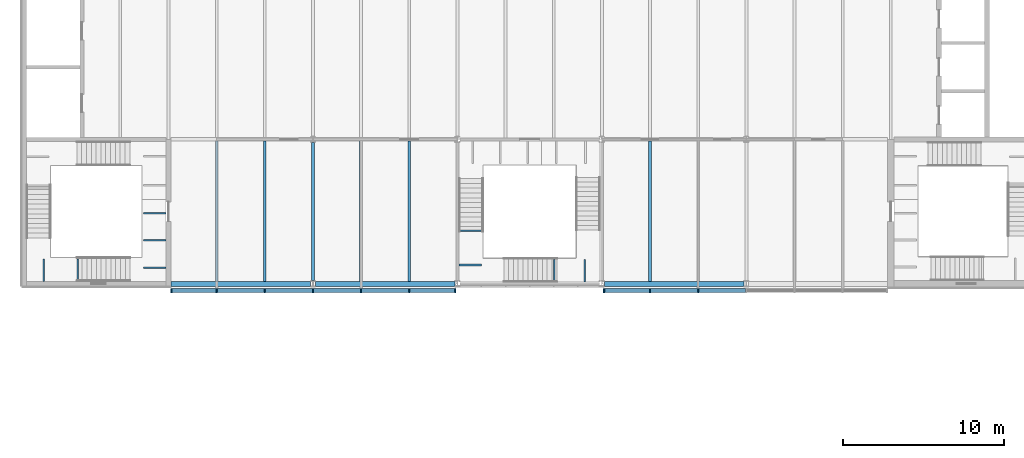
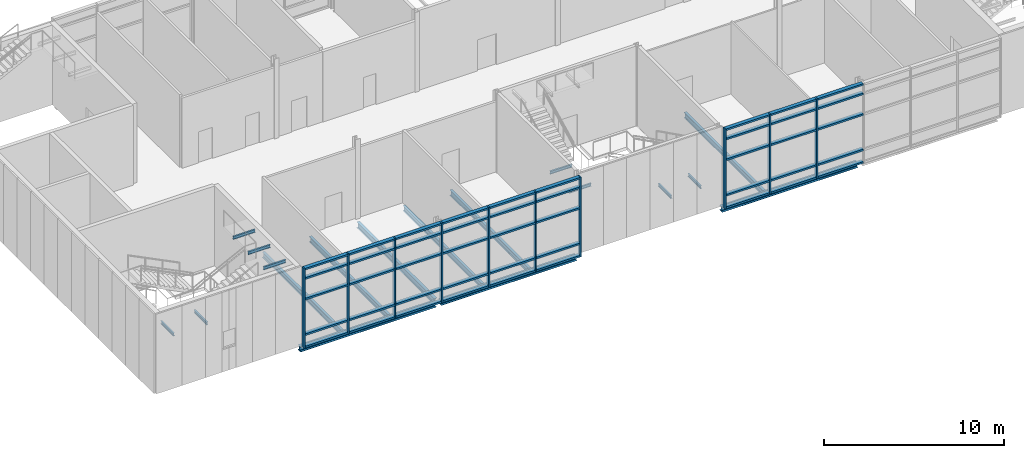
# One storey, part 13 of 53: 55 members, 18 beams, 2 elements without a shape of their own.
"""IFC4 building model written with IfcOpenShell, lengths in metres."""

from ifc_helpers import new_model, si_unit, direction, frame, origin, origin_2d, place, context, subcontext, project, spatial, rectangle, i_section, extrude, material, material_profile, profile_set, type_object, element, aggregate, save


model = new_model("IFC4")

# Units and contexts
model_context = context("Model", 3, precision=1e-05, world=origin(), true_north=direction((0.0, 1.0)))
body_context = subcontext(model_context, "Body", "Model", "MODEL_VIEW")
ifc_project = project(units=[si_unit("LENGTHUNIT", "METRE"), si_unit("AREAUNIT", "SQUARE_METRE"), si_unit("VOLUMEUNIT", "CUBIC_METRE"), si_unit("PLANEANGLEUNIT", "RADIAN"), si_unit("MASSUNIT", "GRAM", prefix="KILO")], contexts=[model_context])

# Site, building, storey
site_placement = place(None, origin())
site = spatial("IfcSite", under=ifc_project, at=site_placement, CompositionType="ELEMENT")
building_placement = place(site_placement, origin())
building = spatial("IfcBuilding", under=site, at=building_placement, Name="Azimuth Sports and Learning Centre", CompositionType="ELEMENT")
storey_placement = place(building_placement, frame((0.0, 0.0, 10.800048828125)))
storey = spatial("IfcBuildingStorey", under=building, at=storey_placement, Name="L02", CompositionType="ELEMENT", Elevation=10.800048828125)

# Beams
ifc_material_1 = material(Name="Steel S355", Category="steel")
ifc_material_profile_1 = material_profile(ifc_material_1, i_section(OverallWidth=0.10009765625, OverallDepth=0.199951171875, WebThickness=0.005615234375, FlangeThickness=0.008544921875, FilletRadius=0.011962890625, at=origin_2d()), Name="IPE 200")
ifc_profile_set_1 = profile_set([ifc_material_profile_1], Name="Steel S355")
beam_type_1 = type_object("IfcBeamType", Name="Beam IPE 200", PredefinedType="BEAM", material=ifc_profile_set_1)
for number, where, z_axis, x_axis, name in (
    (1, (1.222412109375, 90.14990234375, 3.300048828125), (0.0, 1.0, 0.0), (-1.0, 0.0, 0.0), "Landing bracket WW1 L02 733"),
    (2, (3.347412109375, 90.14990234375, 3.300048828125), (0.0, 1.0, 0.0), (-1.0, 0.0, 0.0), "Landing bracket WW1 L02 734"),
    (3, (8.85009765625, 91.00830078125, 5.099853515625), (-1.0, 0.0, 0.0), (0.0, -1.0, 0.0), "Landing bracket WW1 L02 735"),
    (4, (8.85009765625, 92.705078125, 5.099853515625), (-1.0, 0.0, 0.0), (0.0, -1.0, 0.0), "Landing bracket WW1 L02 736"),
    (5, (8.85009765625, 94.401611328125, 5.099853515625), (-1.0, 0.0, 0.0), (0.0, -1.0, 0.0), "Landing bracket WW1 L02 737"),
):
    element("IfcBeam", number, at=place(storey_placement, frame(where, z_axis=z_axis, x_axis=x_axis)), inside=storey, type_object=beam_type_1, Name=name, PredefinedType="BEAM", context=body_context, shape_type="SweptSolid", body=[
        extrude(i_section(OverallWidth=0.10009765625, OverallDepth=0.199951171875, WebThickness=0.005615234375, FlangeThickness=0.008544921875, FilletRadius=0.011962890625, at=origin_2d()), origin(), (0.0, 0.0, 1.0), 1.41015625),
    ])
for number, where, z_axis, x_axis, name in (
    (6, (33.0400390625, 90.10009765625, 1.5), (0.0, 1.0, 0.0), (-1.0, 0.0, 0.0), "Landing bracket WM1 L02 867"),
    (7, (34.93994140625, 90.10009765625, 1.5), (0.0, 1.0, 0.0), (-1.0, 0.0, 0.0), "Landing bracket WM1 L02 868"),
    (8, (27.10009765625, 91.172607421875, 3.300048828125), (1.0, 0.0, 0.0), (0.0, 1.0, 0.0), "Landing bracket WM1 L02 869"),
    (9, (27.10009765625, 93.297607421875, 3.300048828125), (1.0, 0.0, 0.0), (0.0, 1.0, 0.0), "Landing bracket WM1 L02 870"),
):
    element("IfcBeam", number, at=place(storey_placement, frame(where, z_axis=z_axis, x_axis=x_axis)), inside=storey, type_object=beam_type_1, Name=name, PredefinedType="BEAM", context=body_context, shape_type="SweptSolid", body=[
        extrude(i_section(OverallWidth=0.10009765625, OverallDepth=0.199951171875, WebThickness=0.005615234375, FlangeThickness=0.008544921875, FilletRadius=0.011962890625, at=origin_2d()), origin(), (0.0, 0.0, 1.0), 1.409912109375),
    ])
ifc_material_2 = material(Name="Steel S355", Category="steel")
ifc_material_profile_2 = material_profile(ifc_material_2, i_section(OverallWidth=0.179931640625, OverallDepth=0.39990234375, WebThickness=0.008544921875, FlangeThickness=0.013427734375, FilletRadius=0.02099609375, at=origin_2d()), Name="IPE 400")
ifc_profile_set_2 = profile_set([ifc_material_profile_2], Name="Steel S355")
beam_type_2 = type_object("IfcBeamType", Name="Beam IPE 400", PredefinedType="BEAM", material=ifc_profile_set_2)
beam_placement = place(storey_placement, frame((18.0, 90.199951171875, -0.35009765625), z_axis=(0.0, 1.0, 0.0), x_axis=(-1.0, 0.0, 0.0)))
element("IfcBeam", 10, at=beam_placement, inside=storey, type_object=beam_type_2, Name="Beam L02 WW 18", PredefinedType="BEAM", context=body_context, shape_type="SweptSolid", body=[
    extrude(i_section(OverallWidth=0.179931640625, OverallDepth=0.39990234375, WebThickness=0.008544921875, FlangeThickness=0.013427734375, FilletRadius=0.02099609375, at=origin_2d()), origin(), (0.0, 0.0, 1.0), 8.60009765625),
])
ifc_material_3 = material(Name="Steel S355", Category="steel")
ifc_material_profile_3 = material_profile(ifc_material_3, i_section(OverallWidth=0.300048828125, OverallDepth=0.330078125, WebThickness=0.009521484375, FlangeThickness=0.0166015625, FilletRadius=0.027099609375, at=origin_2d()), Name="HEA 340")
ifc_profile_set_3 = profile_set([ifc_material_profile_3], Name="Steel S355")
beam_type_3 = type_object("IfcBeamType", Name="Edge beam HEA 340", PredefinedType="SPANDREL", material=ifc_profile_set_3)
for number, where, z_axis, x_axis, name in (
    (11, (9.14990234375, 90.0, -0.31494140625), (1.0, 0.0, 0.0), (0.0, 1.0, 0.0), "Edge beam L02 WW 1"),
    (12, (18.14990234375, 90.0, -0.31494140625), (1.0, 0.0, 0.0), (0.0, 1.0, 0.0), "Edge beam L02 WW 2"),
    (13, (36.14990234375, 90.0, -0.31494140625), (1.0, 0.0, 0.0), (0.0, 1.0, 0.0), "Edge beam L02 WW 3"),
):
    element("IfcBeam", number, at=place(storey_placement, frame(where, z_axis=z_axis, x_axis=x_axis)), inside=storey, type_object=beam_type_3, Name=name, PredefinedType="SPANDREL", context=body_context, shape_type="SweptSolid", body=[
        extrude(i_section(OverallWidth=0.300048828125, OverallDepth=0.330078125, WebThickness=0.009521484375, FlangeThickness=0.0166015625, FilletRadius=0.027099609375, at=origin_2d()), origin(), (0.0, 0.0, 1.0), 8.7001953125),
    ])
ifc_material_4 = material(Name="Steel S355", Category="steel")
ifc_material_profile_4 = material_profile(ifc_material_4, i_section(OverallWidth=0.169921875, OverallDepth=0.360107421875, WebThickness=0.008056640625, FlangeThickness=0.0126953125, FilletRadius=0.01806640625, at=origin_2d()), Name="IPE 360")
ifc_profile_set_4 = profile_set([ifc_material_profile_4], Name="Steel S355")
beam_type_4 = type_object("IfcBeamType", Name="Joist IPE 360", PredefinedType="JOIST", material=ifc_profile_set_4)
for number, where, z_axis, x_axis, name in (
    (14, (12.0, 90.14990234375, -0.330078125), (0.0, 1.0, 0.0), (-1.0, 0.0, 0.0), "Joist L02 WW 28"),
    (15, (15.0, 90.14990234375, -0.330078125), (0.0, 1.0, 0.0), (-1.0, 0.0, 0.0), "Joist L02 WW 31"),
    (16, (21.0, 90.14990234375, -0.330078125), (0.0, 1.0, 0.0), (-1.0, 0.0, 0.0), "Joist L02 WW 34"),
    (17, (24.0, 90.14990234375, -0.330078125), (0.0, 1.0, 0.0), (-1.0, 0.0, 0.0), "Joist L02 WW 37"),
    (18, (39.0, 90.14990234375, -0.330078125), (0.0, 1.0, 0.0), (-1.0, 0.0, 0.0), "Joist L02 WW 42"),
):
    element("IfcBeam", number, at=place(storey_placement, frame(where, z_axis=z_axis, x_axis=x_axis)), inside=storey, type_object=beam_type_4, Name=name, PredefinedType="JOIST", context=body_context, shape_type="SweptSolid", body=[
        extrude(i_section(OverallWidth=0.169921875, OverallDepth=0.360107421875, WebThickness=0.008056640625, FlangeThickness=0.0126953125, FilletRadius=0.01806640625, at=origin_2d()), origin(), (0.0, 0.0, 1.0), 8.7451171875),
    ])

# Curtain wall, members
ifc_material_5 = material(Name="Aluminium and glass", Category="aluminium")
curtain_wall_type = type_object("IfcCurtainWallType", Name="Curtain wall podium wing 240", PredefinedType="NOTDEFINED", material=ifc_material_5)
curtain_wall_1_placement = place(storey_placement, origin())
curtain_wall_1 = element("IfcCurtainWall", 19, at=curtain_wall_1_placement, inside=storey, type_object=curtain_wall_type, Name="Curtain wall CW02-001", PredefinedType="NOTDEFINED")
ifc_material_6 = material(Name="Aluminium", Category="aluminium")
ifc_material_profile_5 = material_profile(ifc_material_6, rectangle(XDim=0.239990234375, YDim=0.080078125, at=origin_2d()), Name="Mullion 80x240")
ifc_profile_set_5 = profile_set([ifc_material_profile_5], Name="Aluminium")
member_type_1 = type_object("IfcMemberType", Name="Mullion 80x240", PredefinedType="MULLION", material=ifc_profile_set_5)
member_1_placement = place(storey_placement, frame((9.18994140625, 89.580078125, 0.0), z_axis=(0.0, 0.0, 1.0), x_axis=(0.0, 1.0, 0.0)))
member_1 = element("IfcMember", 20, at=member_1_placement, type_object=member_type_1, Name="CW02-001 mullion 1", PredefinedType="MULLION", context=body_context, shape_type="SweptSolid", body=[
    extrude(rectangle(XDim=0.239990234375, YDim=0.080078125, at=origin_2d()), origin(), (0.0, 0.0, 1.0), 5.39990234375),
])
member_2_placement = place(storey_placement, frame((12.0, 89.580078125, 0.0), z_axis=(0.0, 0.0, 1.0), x_axis=(0.0, 1.0, 0.0)))
member_2 = element("IfcMember", 21, at=member_2_placement, type_object=member_type_1, Name="CW02-001 mullion 2", PredefinedType="MULLION", context=body_context, shape_type="SweptSolid", body=[
    extrude(rectangle(XDim=0.239990234375, YDim=0.080078125, at=origin_2d()), origin(), (0.0, 0.0, 1.0), 5.39990234375),
])
member_3_placement = place(storey_placement, frame((15.0, 89.580078125, 0.0), z_axis=(0.0, 0.0, 1.0), x_axis=(0.0, 1.0, 0.0)))
member_3 = element("IfcMember", 22, at=member_3_placement, type_object=member_type_1, Name="CW02-001 mullion 3", PredefinedType="MULLION", context=body_context, shape_type="SweptSolid", body=[
    extrude(rectangle(XDim=0.239990234375, YDim=0.080078125, at=origin_2d()), origin(), (0.0, 0.0, 1.0), 5.39990234375),
])
member_4_placement = place(storey_placement, frame((18.0, 89.580078125, 0.0), z_axis=(0.0, 0.0, 1.0), x_axis=(0.0, 1.0, 0.0)))
member_4 = element("IfcMember", 23, at=member_4_placement, type_object=member_type_1, Name="CW02-001 mullion 4", PredefinedType="MULLION", context=body_context, shape_type="SweptSolid", body=[
    extrude(rectangle(XDim=0.239990234375, YDim=0.080078125, at=origin_2d()), origin(), (0.0, 0.0, 1.0), 5.39990234375),
])
member_5_placement = place(storey_placement, frame((21.0, 89.580078125, 0.0), z_axis=(0.0, 0.0, 1.0), x_axis=(0.0, 1.0, 0.0)))
member_5 = element("IfcMember", 24, at=member_5_placement, type_object=member_type_1, Name="CW02-001 mullion 5", PredefinedType="MULLION", context=body_context, shape_type="SweptSolid", body=[
    extrude(rectangle(XDim=0.239990234375, YDim=0.080078125, at=origin_2d()), origin(), (0.0, 0.0, 1.0), 5.39990234375),
])
member_6_placement = place(storey_placement, frame((24.0, 89.580078125, 0.0), z_axis=(0.0, 0.0, 1.0), x_axis=(0.0, 1.0, 0.0)))
member_6 = element("IfcMember", 25, at=member_6_placement, type_object=member_type_1, Name="CW02-001 mullion 6", PredefinedType="MULLION", context=body_context, shape_type="SweptSolid", body=[
    extrude(rectangle(XDim=0.239990234375, YDim=0.080078125, at=origin_2d()), origin(), (0.0, 0.0, 1.0), 5.39990234375),
])
member_7_placement = place(storey_placement, frame((26.860107421875, 89.580078125, 0.0), z_axis=(0.0, 0.0, 1.0), x_axis=(0.0, 1.0, 0.0)))
member_7 = element("IfcMember", 26, at=member_7_placement, type_object=member_type_1, Name="CW02-001 mullion 7", PredefinedType="MULLION", context=body_context, shape_type="SweptSolid", body=[
    extrude(rectangle(XDim=0.239990234375, YDim=0.080078125, at=origin_2d()), origin(), (0.0, 0.0, 1.0), 5.39990234375),
])

curtain_wall_2_placement = place(storey_placement, origin())
curtain_wall_2 = element("IfcCurtainWall", 27, at=curtain_wall_2_placement, inside=storey, type_object=curtain_wall_type, Name="Curtain wall CW02-002", PredefinedType="NOTDEFINED")
member_8_placement = place(storey_placement, frame((36.139892578125, 89.580078125, 0.0), z_axis=(0.0, 0.0, 1.0), x_axis=(0.0, 1.0, 0.0)))
member_8 = element("IfcMember", 28, at=member_8_placement, type_object=member_type_1, Name="CW02-002 mullion 1", PredefinedType="MULLION", context=body_context, shape_type="SweptSolid", body=[
    extrude(rectangle(XDim=0.239990234375, YDim=0.080078125, at=origin_2d()), origin(), (0.0, 0.0, 1.0), 5.39990234375),
])
member_9_placement = place(storey_placement, frame((39.0, 89.580078125, 0.0), z_axis=(0.0, 0.0, 1.0), x_axis=(0.0, 1.0, 0.0)))
member_9 = element("IfcMember", 29, at=member_9_placement, type_object=member_type_1, Name="CW02-002 mullion 2", PredefinedType="MULLION", context=body_context, shape_type="SweptSolid", body=[
    extrude(rectangle(XDim=0.239990234375, YDim=0.080078125, at=origin_2d()), origin(), (0.0, 0.0, 1.0), 5.39990234375),
])
member_10_placement = place(storey_placement, frame((42.0, 89.580078125, 0.0), z_axis=(0.0, 0.0, 1.0), x_axis=(0.0, 1.0, 0.0)))
member_10 = element("IfcMember", 30, at=member_10_placement, type_object=member_type_1, Name="CW02-002 mullion 3", PredefinedType="MULLION", context=body_context, shape_type="SweptSolid", body=[
    extrude(rectangle(XDim=0.239990234375, YDim=0.080078125, at=origin_2d()), origin(), (0.0, 0.0, 1.0), 5.39990234375),
])

# Member
ifc_material_7 = material(Name="Aluminium", Category="aluminium")
ifc_material_profile_6 = material_profile(ifc_material_7, rectangle(XDim=0.239990234375, YDim=0.1201171875, at=origin_2d()), Name="Transom 120x240")
ifc_profile_set_6 = profile_set([ifc_material_profile_6], Name="Aluminium")
member_type_2 = type_object("IfcMemberType", Name="Transom 120x240", PredefinedType="USERDEFINED", material=ifc_profile_set_6)
member_11_placement = place(storey_placement, frame((9.22998046875, 89.580078125, 0.06005859375), z_axis=(1.0, 0.0, 0.0), x_axis=(0.0, 1.0, 0.0)))
member_11 = element("IfcMember", 31, at=member_11_placement, type_object=member_type_2, Name="CW02-001 transom 1.1", ObjectType="TRANSOM", PredefinedType="USERDEFINED", context=body_context, shape_type="SweptSolid", body=[
    extrude(rectangle(XDim=0.239990234375, YDim=0.1201171875, at=origin_2d()), origin(), (0.0, 0.0, 1.0), 2.72998046875),
])

member_12_placement = place(storey_placement, frame((9.22998046875, 89.580078125, 0.89990234375), z_axis=(1.0, 0.0, 0.0), x_axis=(0.0, 1.0, 0.0)))
member_12 = element("IfcMember", 32, at=member_12_placement, type_object=member_type_2, Name="CW02-001 transom 1.2", ObjectType="TRANSOM", PredefinedType="USERDEFINED", context=body_context, shape_type="SweptSolid", body=[
    extrude(rectangle(XDim=0.239990234375, YDim=0.1201171875, at=origin_2d()), origin(), (0.0, 0.0, 1.0), 2.72998046875),
])

member_13_placement = place(storey_placement, frame((9.22998046875, 89.580078125, 3.300048828125), z_axis=(1.0, 0.0, 0.0), x_axis=(0.0, 1.0, 0.0)))
member_13 = element("IfcMember", 33, at=member_13_placement, type_object=member_type_2, Name="CW02-001 transom 1.3", ObjectType="TRANSOM", PredefinedType="USERDEFINED", context=body_context, shape_type="SweptSolid", body=[
    extrude(rectangle(XDim=0.239990234375, YDim=0.1201171875, at=origin_2d()), origin(), (0.0, 0.0, 1.0), 2.72998046875),
])

member_14_placement = place(storey_placement, frame((9.22998046875, 89.580078125, 4.699951171875), z_axis=(1.0, 0.0, 0.0), x_axis=(0.0, 1.0, 0.0)))
member_14 = element("IfcMember", 34, at=member_14_placement, type_object=member_type_2, Name="CW02-001 transom 1.4", ObjectType="TRANSOM", PredefinedType="USERDEFINED", context=body_context, shape_type="SweptSolid", body=[
    extrude(rectangle(XDim=0.239990234375, YDim=0.1201171875, at=origin_2d()), origin(), (0.0, 0.0, 1.0), 2.72998046875),
])

member_15_placement = place(storey_placement, frame((9.22998046875, 89.580078125, 5.33984375), z_axis=(1.0, 0.0, 0.0), x_axis=(0.0, 1.0, 0.0)))
member_15 = element("IfcMember", 35, at=member_15_placement, type_object=member_type_2, Name="CW02-001 transom 1.5", ObjectType="TRANSOM", PredefinedType="USERDEFINED", context=body_context, shape_type="SweptSolid", body=[
    extrude(rectangle(XDim=0.239990234375, YDim=0.1201171875, at=origin_2d()), origin(), (0.0, 0.0, 1.0), 2.72998046875),
])

member_16_placement = place(storey_placement, frame((12.0400390625, 89.580078125, 0.06005859375), z_axis=(1.0, 0.0, 0.0), x_axis=(0.0, 1.0, 0.0)))
member_16 = element("IfcMember", 36, at=member_16_placement, type_object=member_type_2, Name="CW02-001 transom 2.1", ObjectType="TRANSOM", PredefinedType="USERDEFINED", context=body_context, shape_type="SweptSolid", body=[
    extrude(rectangle(XDim=0.239990234375, YDim=0.1201171875, at=origin_2d()), origin(), (0.0, 0.0, 1.0), 2.919921875),
])

member_17_placement = place(storey_placement, frame((12.0400390625, 89.580078125, 0.89990234375), z_axis=(1.0, 0.0, 0.0), x_axis=(0.0, 1.0, 0.0)))
member_17 = element("IfcMember", 37, at=member_17_placement, type_object=member_type_2, Name="CW02-001 transom 2.2", ObjectType="TRANSOM", PredefinedType="USERDEFINED", context=body_context, shape_type="SweptSolid", body=[
    extrude(rectangle(XDim=0.239990234375, YDim=0.1201171875, at=origin_2d()), origin(), (0.0, 0.0, 1.0), 2.919921875),
])

member_18_placement = place(storey_placement, frame((12.0400390625, 89.580078125, 3.300048828125), z_axis=(1.0, 0.0, 0.0), x_axis=(0.0, 1.0, 0.0)))
member_18 = element("IfcMember", 38, at=member_18_placement, type_object=member_type_2, Name="CW02-001 transom 2.3", ObjectType="TRANSOM", PredefinedType="USERDEFINED", context=body_context, shape_type="SweptSolid", body=[
    extrude(rectangle(XDim=0.239990234375, YDim=0.1201171875, at=origin_2d()), origin(), (0.0, 0.0, 1.0), 2.919921875),
])

member_19_placement = place(storey_placement, frame((12.0400390625, 89.580078125, 4.699951171875), z_axis=(1.0, 0.0, 0.0), x_axis=(0.0, 1.0, 0.0)))
member_19 = element("IfcMember", 39, at=member_19_placement, type_object=member_type_2, Name="CW02-001 transom 2.4", ObjectType="TRANSOM", PredefinedType="USERDEFINED", context=body_context, shape_type="SweptSolid", body=[
    extrude(rectangle(XDim=0.239990234375, YDim=0.1201171875, at=origin_2d()), origin(), (0.0, 0.0, 1.0), 2.919921875),
])

member_20_placement = place(storey_placement, frame((12.0400390625, 89.580078125, 5.33984375), z_axis=(1.0, 0.0, 0.0), x_axis=(0.0, 1.0, 0.0)))
member_20 = element("IfcMember", 40, at=member_20_placement, type_object=member_type_2, Name="CW02-001 transom 2.5", ObjectType="TRANSOM", PredefinedType="USERDEFINED", context=body_context, shape_type="SweptSolid", body=[
    extrude(rectangle(XDim=0.239990234375, YDim=0.1201171875, at=origin_2d()), origin(), (0.0, 0.0, 1.0), 2.919921875),
])

member_21_placement = place(storey_placement, frame((15.0400390625, 89.580078125, 0.06005859375), z_axis=(1.0, 0.0, 0.0), x_axis=(0.0, 1.0, 0.0)))
member_21 = element("IfcMember", 41, at=member_21_placement, type_object=member_type_2, Name="CW02-001 transom 3.1", ObjectType="TRANSOM", PredefinedType="USERDEFINED", context=body_context, shape_type="SweptSolid", body=[
    extrude(rectangle(XDim=0.239990234375, YDim=0.1201171875, at=origin_2d()), origin(), (0.0, 0.0, 1.0), 2.919921875),
])

member_22_placement = place(storey_placement, frame((15.0400390625, 89.580078125, 0.89990234375), z_axis=(1.0, 0.0, 0.0), x_axis=(0.0, 1.0, 0.0)))
member_22 = element("IfcMember", 42, at=member_22_placement, type_object=member_type_2, Name="CW02-001 transom 3.2", ObjectType="TRANSOM", PredefinedType="USERDEFINED", context=body_context, shape_type="SweptSolid", body=[
    extrude(rectangle(XDim=0.239990234375, YDim=0.1201171875, at=origin_2d()), origin(), (0.0, 0.0, 1.0), 2.919921875),
])

member_23_placement = place(storey_placement, frame((15.0400390625, 89.580078125, 3.300048828125), z_axis=(1.0, 0.0, 0.0), x_axis=(0.0, 1.0, 0.0)))
member_23 = element("IfcMember", 43, at=member_23_placement, type_object=member_type_2, Name="CW02-001 transom 3.3", ObjectType="TRANSOM", PredefinedType="USERDEFINED", context=body_context, shape_type="SweptSolid", body=[
    extrude(rectangle(XDim=0.239990234375, YDim=0.1201171875, at=origin_2d()), origin(), (0.0, 0.0, 1.0), 2.919921875),
])

member_24_placement = place(storey_placement, frame((15.0400390625, 89.580078125, 4.699951171875), z_axis=(1.0, 0.0, 0.0), x_axis=(0.0, 1.0, 0.0)))
member_24 = element("IfcMember", 44, at=member_24_placement, type_object=member_type_2, Name="CW02-001 transom 3.4", ObjectType="TRANSOM", PredefinedType="USERDEFINED", context=body_context, shape_type="SweptSolid", body=[
    extrude(rectangle(XDim=0.239990234375, YDim=0.1201171875, at=origin_2d()), origin(), (0.0, 0.0, 1.0), 2.919921875),
])

member_25_placement = place(storey_placement, frame((15.0400390625, 89.580078125, 5.33984375), z_axis=(1.0, 0.0, 0.0), x_axis=(0.0, 1.0, 0.0)))
member_25 = element("IfcMember", 45, at=member_25_placement, type_object=member_type_2, Name="CW02-001 transom 3.5", ObjectType="TRANSOM", PredefinedType="USERDEFINED", context=body_context, shape_type="SweptSolid", body=[
    extrude(rectangle(XDim=0.239990234375, YDim=0.1201171875, at=origin_2d()), origin(), (0.0, 0.0, 1.0), 2.919921875),
])

member_26_placement = place(storey_placement, frame((18.0400390625, 89.580078125, 0.06005859375), z_axis=(1.0, 0.0, 0.0), x_axis=(0.0, 1.0, 0.0)))
member_26 = element("IfcMember", 46, at=member_26_placement, type_object=member_type_2, Name="CW02-001 transom 4.1", ObjectType="TRANSOM", PredefinedType="USERDEFINED", context=body_context, shape_type="SweptSolid", body=[
    extrude(rectangle(XDim=0.239990234375, YDim=0.1201171875, at=origin_2d()), origin(), (0.0, 0.0, 1.0), 2.919921875),
])

member_27_placement = place(storey_placement, frame((18.0400390625, 89.580078125, 0.89990234375), z_axis=(1.0, 0.0, 0.0), x_axis=(0.0, 1.0, 0.0)))
member_27 = element("IfcMember", 47, at=member_27_placement, type_object=member_type_2, Name="CW02-001 transom 4.2", ObjectType="TRANSOM", PredefinedType="USERDEFINED", context=body_context, shape_type="SweptSolid", body=[
    extrude(rectangle(XDim=0.239990234375, YDim=0.1201171875, at=origin_2d()), origin(), (0.0, 0.0, 1.0), 2.919921875),
])

member_28_placement = place(storey_placement, frame((18.0400390625, 89.580078125, 3.300048828125), z_axis=(1.0, 0.0, 0.0), x_axis=(0.0, 1.0, 0.0)))
member_28 = element("IfcMember", 48, at=member_28_placement, type_object=member_type_2, Name="CW02-001 transom 4.3", ObjectType="TRANSOM", PredefinedType="USERDEFINED", context=body_context, shape_type="SweptSolid", body=[
    extrude(rectangle(XDim=0.239990234375, YDim=0.1201171875, at=origin_2d()), origin(), (0.0, 0.0, 1.0), 2.919921875),
])

member_29_placement = place(storey_placement, frame((18.0400390625, 89.580078125, 4.699951171875), z_axis=(1.0, 0.0, 0.0), x_axis=(0.0, 1.0, 0.0)))
member_29 = element("IfcMember", 49, at=member_29_placement, type_object=member_type_2, Name="CW02-001 transom 4.4", ObjectType="TRANSOM", PredefinedType="USERDEFINED", context=body_context, shape_type="SweptSolid", body=[
    extrude(rectangle(XDim=0.239990234375, YDim=0.1201171875, at=origin_2d()), origin(), (0.0, 0.0, 1.0), 2.919921875),
])

member_30_placement = place(storey_placement, frame((18.0400390625, 89.580078125, 5.33984375), z_axis=(1.0, 0.0, 0.0), x_axis=(0.0, 1.0, 0.0)))
member_30 = element("IfcMember", 50, at=member_30_placement, type_object=member_type_2, Name="CW02-001 transom 4.5", ObjectType="TRANSOM", PredefinedType="USERDEFINED", context=body_context, shape_type="SweptSolid", body=[
    extrude(rectangle(XDim=0.239990234375, YDim=0.1201171875, at=origin_2d()), origin(), (0.0, 0.0, 1.0), 2.919921875),
])

member_31_placement = place(storey_placement, frame((21.0400390625, 89.580078125, 0.06005859375), z_axis=(1.0, 0.0, 0.0), x_axis=(0.0, 1.0, 0.0)))
member_31 = element("IfcMember", 51, at=member_31_placement, type_object=member_type_2, Name="CW02-001 transom 5.1", ObjectType="TRANSOM", PredefinedType="USERDEFINED", context=body_context, shape_type="SweptSolid", body=[
    extrude(rectangle(XDim=0.239990234375, YDim=0.1201171875, at=origin_2d()), origin(), (0.0, 0.0, 1.0), 2.919921875),
])

member_32_placement = place(storey_placement, frame((21.0400390625, 89.580078125, 0.89990234375), z_axis=(1.0, 0.0, 0.0), x_axis=(0.0, 1.0, 0.0)))
member_32 = element("IfcMember", 52, at=member_32_placement, type_object=member_type_2, Name="CW02-001 transom 5.2", ObjectType="TRANSOM", PredefinedType="USERDEFINED", context=body_context, shape_type="SweptSolid", body=[
    extrude(rectangle(XDim=0.239990234375, YDim=0.1201171875, at=origin_2d()), origin(), (0.0, 0.0, 1.0), 2.919921875),
])

member_33_placement = place(storey_placement, frame((21.0400390625, 89.580078125, 3.300048828125), z_axis=(1.0, 0.0, 0.0), x_axis=(0.0, 1.0, 0.0)))
member_33 = element("IfcMember", 53, at=member_33_placement, type_object=member_type_2, Name="CW02-001 transom 5.3", ObjectType="TRANSOM", PredefinedType="USERDEFINED", context=body_context, shape_type="SweptSolid", body=[
    extrude(rectangle(XDim=0.239990234375, YDim=0.1201171875, at=origin_2d()), origin(), (0.0, 0.0, 1.0), 2.919921875),
])

member_34_placement = place(storey_placement, frame((21.0400390625, 89.580078125, 4.699951171875), z_axis=(1.0, 0.0, 0.0), x_axis=(0.0, 1.0, 0.0)))
member_34 = element("IfcMember", 54, at=member_34_placement, type_object=member_type_2, Name="CW02-001 transom 5.4", ObjectType="TRANSOM", PredefinedType="USERDEFINED", context=body_context, shape_type="SweptSolid", body=[
    extrude(rectangle(XDim=0.239990234375, YDim=0.1201171875, at=origin_2d()), origin(), (0.0, 0.0, 1.0), 2.919921875),
])

member_35_placement = place(storey_placement, frame((21.0400390625, 89.580078125, 5.33984375), z_axis=(1.0, 0.0, 0.0), x_axis=(0.0, 1.0, 0.0)))
member_35 = element("IfcMember", 55, at=member_35_placement, type_object=member_type_2, Name="CW02-001 transom 5.5", ObjectType="TRANSOM", PredefinedType="USERDEFINED", context=body_context, shape_type="SweptSolid", body=[
    extrude(rectangle(XDim=0.239990234375, YDim=0.1201171875, at=origin_2d()), origin(), (0.0, 0.0, 1.0), 2.919921875),
])

member_36_placement = place(storey_placement, frame((24.0400390625, 89.580078125, 0.06005859375), z_axis=(1.0, 0.0, 0.0), x_axis=(0.0, 1.0, 0.0)))
member_36 = element("IfcMember", 56, at=member_36_placement, type_object=member_type_2, Name="CW02-001 transom 6.1", ObjectType="TRANSOM", PredefinedType="USERDEFINED", context=body_context, shape_type="SweptSolid", body=[
    extrude(rectangle(XDim=0.239990234375, YDim=0.1201171875, at=origin_2d()), origin(), (0.0, 0.0, 1.0), 2.780029296875),
])

member_37_placement = place(storey_placement, frame((24.0400390625, 89.580078125, 0.89990234375), z_axis=(1.0, 0.0, 0.0), x_axis=(0.0, 1.0, 0.0)))
member_37 = element("IfcMember", 57, at=member_37_placement, type_object=member_type_2, Name="CW02-001 transom 6.2", ObjectType="TRANSOM", PredefinedType="USERDEFINED", context=body_context, shape_type="SweptSolid", body=[
    extrude(rectangle(XDim=0.239990234375, YDim=0.1201171875, at=origin_2d()), origin(), (0.0, 0.0, 1.0), 2.780029296875),
])

member_38_placement = place(storey_placement, frame((24.0400390625, 89.580078125, 3.300048828125), z_axis=(1.0, 0.0, 0.0), x_axis=(0.0, 1.0, 0.0)))
member_38 = element("IfcMember", 58, at=member_38_placement, type_object=member_type_2, Name="CW02-001 transom 6.3", ObjectType="TRANSOM", PredefinedType="USERDEFINED", context=body_context, shape_type="SweptSolid", body=[
    extrude(rectangle(XDim=0.239990234375, YDim=0.1201171875, at=origin_2d()), origin(), (0.0, 0.0, 1.0), 2.780029296875),
])

member_39_placement = place(storey_placement, frame((24.0400390625, 89.580078125, 4.699951171875), z_axis=(1.0, 0.0, 0.0), x_axis=(0.0, 1.0, 0.0)))
member_39 = element("IfcMember", 59, at=member_39_placement, type_object=member_type_2, Name="CW02-001 transom 6.4", ObjectType="TRANSOM", PredefinedType="USERDEFINED", context=body_context, shape_type="SweptSolid", body=[
    extrude(rectangle(XDim=0.239990234375, YDim=0.1201171875, at=origin_2d()), origin(), (0.0, 0.0, 1.0), 2.780029296875),
])

member_40_placement = place(storey_placement, frame((24.0400390625, 89.580078125, 5.33984375), z_axis=(1.0, 0.0, 0.0), x_axis=(0.0, 1.0, 0.0)))
member_40 = element("IfcMember", 60, at=member_40_placement, type_object=member_type_2, Name="CW02-001 transom 6.5", ObjectType="TRANSOM", PredefinedType="USERDEFINED", context=body_context, shape_type="SweptSolid", body=[
    extrude(rectangle(XDim=0.239990234375, YDim=0.1201171875, at=origin_2d()), origin(), (0.0, 0.0, 1.0), 2.780029296875),
])

aggregate(curtain_wall_1, [member_1, member_2, member_3, member_4, member_5, member_6, member_7, member_11, member_12, member_13, member_14, member_15, member_16, member_17, member_18, member_19, member_20, member_21, member_22, member_23, member_24, member_25, member_26, member_27, member_28, member_29, member_30, member_31, member_32, member_33, member_34, member_35, member_36, member_37, member_38, member_39, member_40])

member_41_placement = place(storey_placement, frame((36.179931640625, 89.580078125, 0.06005859375), z_axis=(1.0, 0.0, 0.0), x_axis=(0.0, 1.0, 0.0)))
member_41 = element("IfcMember", 61, at=member_41_placement, type_object=member_type_2, Name="CW02-002 transom 1.1", ObjectType="TRANSOM", PredefinedType="USERDEFINED", context=body_context, shape_type="SweptSolid", body=[
    extrude(rectangle(XDim=0.239990234375, YDim=0.1201171875, at=origin_2d()), origin(), (0.0, 0.0, 1.0), 2.780029296875),
])

member_42_placement = place(storey_placement, frame((36.179931640625, 89.580078125, 0.89990234375), z_axis=(1.0, 0.0, 0.0), x_axis=(0.0, 1.0, 0.0)))
member_42 = element("IfcMember", 62, at=member_42_placement, type_object=member_type_2, Name="CW02-002 transom 1.2", ObjectType="TRANSOM", PredefinedType="USERDEFINED", context=body_context, shape_type="SweptSolid", body=[
    extrude(rectangle(XDim=0.239990234375, YDim=0.1201171875, at=origin_2d()), origin(), (0.0, 0.0, 1.0), 2.780029296875),
])

member_43_placement = place(storey_placement, frame((36.179931640625, 89.580078125, 3.300048828125), z_axis=(1.0, 0.0, 0.0), x_axis=(0.0, 1.0, 0.0)))
member_43 = element("IfcMember", 63, at=member_43_placement, type_object=member_type_2, Name="CW02-002 transom 1.3", ObjectType="TRANSOM", PredefinedType="USERDEFINED", context=body_context, shape_type="SweptSolid", body=[
    extrude(rectangle(XDim=0.239990234375, YDim=0.1201171875, at=origin_2d()), origin(), (0.0, 0.0, 1.0), 2.780029296875),
])

member_44_placement = place(storey_placement, frame((36.179931640625, 89.580078125, 4.699951171875), z_axis=(1.0, 0.0, 0.0), x_axis=(0.0, 1.0, 0.0)))
member_44 = element("IfcMember", 64, at=member_44_placement, type_object=member_type_2, Name="CW02-002 transom 1.4", ObjectType="TRANSOM", PredefinedType="USERDEFINED", context=body_context, shape_type="SweptSolid", body=[
    extrude(rectangle(XDim=0.239990234375, YDim=0.1201171875, at=origin_2d()), origin(), (0.0, 0.0, 1.0), 2.780029296875),
])

member_45_placement = place(storey_placement, frame((36.179931640625, 89.580078125, 5.33984375), z_axis=(1.0, 0.0, 0.0), x_axis=(0.0, 1.0, 0.0)))
member_45 = element("IfcMember", 65, at=member_45_placement, type_object=member_type_2, Name="CW02-002 transom 1.5", ObjectType="TRANSOM", PredefinedType="USERDEFINED", context=body_context, shape_type="SweptSolid", body=[
    extrude(rectangle(XDim=0.239990234375, YDim=0.1201171875, at=origin_2d()), origin(), (0.0, 0.0, 1.0), 2.780029296875),
])

member_46_placement = place(storey_placement, frame((39.0400390625, 89.580078125, 0.06005859375), z_axis=(1.0, 0.0, 0.0), x_axis=(0.0, 1.0, 0.0)))
member_46 = element("IfcMember", 66, at=member_46_placement, type_object=member_type_2, Name="CW02-002 transom 2.1", ObjectType="TRANSOM", PredefinedType="USERDEFINED", context=body_context, shape_type="SweptSolid", body=[
    extrude(rectangle(XDim=0.239990234375, YDim=0.1201171875, at=origin_2d()), origin(), (0.0, 0.0, 1.0), 2.919921875),
])

member_47_placement = place(storey_placement, frame((39.0400390625, 89.580078125, 0.89990234375), z_axis=(1.0, 0.0, 0.0), x_axis=(0.0, 1.0, 0.0)))
member_47 = element("IfcMember", 67, at=member_47_placement, type_object=member_type_2, Name="CW02-002 transom 2.2", ObjectType="TRANSOM", PredefinedType="USERDEFINED", context=body_context, shape_type="SweptSolid", body=[
    extrude(rectangle(XDim=0.239990234375, YDim=0.1201171875, at=origin_2d()), origin(), (0.0, 0.0, 1.0), 2.919921875),
])

member_48_placement = place(storey_placement, frame((39.0400390625, 89.580078125, 3.300048828125), z_axis=(1.0, 0.0, 0.0), x_axis=(0.0, 1.0, 0.0)))
member_48 = element("IfcMember", 68, at=member_48_placement, type_object=member_type_2, Name="CW02-002 transom 2.3", ObjectType="TRANSOM", PredefinedType="USERDEFINED", context=body_context, shape_type="SweptSolid", body=[
    extrude(rectangle(XDim=0.239990234375, YDim=0.1201171875, at=origin_2d()), origin(), (0.0, 0.0, 1.0), 2.919921875),
])

member_49_placement = place(storey_placement, frame((39.0400390625, 89.580078125, 4.699951171875), z_axis=(1.0, 0.0, 0.0), x_axis=(0.0, 1.0, 0.0)))
member_49 = element("IfcMember", 69, at=member_49_placement, type_object=member_type_2, Name="CW02-002 transom 2.4", ObjectType="TRANSOM", PredefinedType="USERDEFINED", context=body_context, shape_type="SweptSolid", body=[
    extrude(rectangle(XDim=0.239990234375, YDim=0.1201171875, at=origin_2d()), origin(), (0.0, 0.0, 1.0), 2.919921875),
])

member_50_placement = place(storey_placement, frame((39.0400390625, 89.580078125, 5.33984375), z_axis=(1.0, 0.0, 0.0), x_axis=(0.0, 1.0, 0.0)))
member_50 = element("IfcMember", 70, at=member_50_placement, type_object=member_type_2, Name="CW02-002 transom 2.5", ObjectType="TRANSOM", PredefinedType="USERDEFINED", context=body_context, shape_type="SweptSolid", body=[
    extrude(rectangle(XDim=0.239990234375, YDim=0.1201171875, at=origin_2d()), origin(), (0.0, 0.0, 1.0), 2.919921875),
])

member_51_placement = place(storey_placement, frame((42.0400390625, 89.580078125, 0.06005859375), z_axis=(1.0, 0.0, 0.0), x_axis=(0.0, 1.0, 0.0)))
member_51 = element("IfcMember", 71, at=member_51_placement, type_object=member_type_2, Name="CW02-002 transom 3.1", ObjectType="TRANSOM", PredefinedType="USERDEFINED", context=body_context, shape_type="SweptSolid", body=[
    extrude(rectangle(XDim=0.239990234375, YDim=0.1201171875, at=origin_2d()), origin(), (0.0, 0.0, 1.0), 2.919921875),
])

member_52_placement = place(storey_placement, frame((42.0400390625, 89.580078125, 0.89990234375), z_axis=(1.0, 0.0, 0.0), x_axis=(0.0, 1.0, 0.0)))
member_52 = element("IfcMember", 72, at=member_52_placement, type_object=member_type_2, Name="CW02-002 transom 3.2", ObjectType="TRANSOM", PredefinedType="USERDEFINED", context=body_context, shape_type="SweptSolid", body=[
    extrude(rectangle(XDim=0.239990234375, YDim=0.1201171875, at=origin_2d()), origin(), (0.0, 0.0, 1.0), 2.919921875),
])

member_53_placement = place(storey_placement, frame((42.0400390625, 89.580078125, 3.300048828125), z_axis=(1.0, 0.0, 0.0), x_axis=(0.0, 1.0, 0.0)))
member_53 = element("IfcMember", 73, at=member_53_placement, type_object=member_type_2, Name="CW02-002 transom 3.3", ObjectType="TRANSOM", PredefinedType="USERDEFINED", context=body_context, shape_type="SweptSolid", body=[
    extrude(rectangle(XDim=0.239990234375, YDim=0.1201171875, at=origin_2d()), origin(), (0.0, 0.0, 1.0), 2.919921875),
])

member_54_placement = place(storey_placement, frame((42.0400390625, 89.580078125, 4.699951171875), z_axis=(1.0, 0.0, 0.0), x_axis=(0.0, 1.0, 0.0)))
member_54 = element("IfcMember", 74, at=member_54_placement, type_object=member_type_2, Name="CW02-002 transom 3.4", ObjectType="TRANSOM", PredefinedType="USERDEFINED", context=body_context, shape_type="SweptSolid", body=[
    extrude(rectangle(XDim=0.239990234375, YDim=0.1201171875, at=origin_2d()), origin(), (0.0, 0.0, 1.0), 2.919921875),
])

member_55_placement = place(storey_placement, frame((42.0400390625, 89.580078125, 5.33984375), z_axis=(1.0, 0.0, 0.0), x_axis=(0.0, 1.0, 0.0)))
member_55 = element("IfcMember", 75, at=member_55_placement, type_object=member_type_2, Name="CW02-002 transom 3.5", ObjectType="TRANSOM", PredefinedType="USERDEFINED", context=body_context, shape_type="SweptSolid", body=[
    extrude(rectangle(XDim=0.239990234375, YDim=0.1201171875, at=origin_2d()), origin(), (0.0, 0.0, 1.0), 2.919921875),
])

aggregate(curtain_wall_2, [member_8, member_9, member_10, member_41, member_42, member_43, member_44, member_45, member_46, member_47, member_48, member_49, member_50, member_51, member_52, member_53, member_54, member_55])

save(model, "model.ifc")
